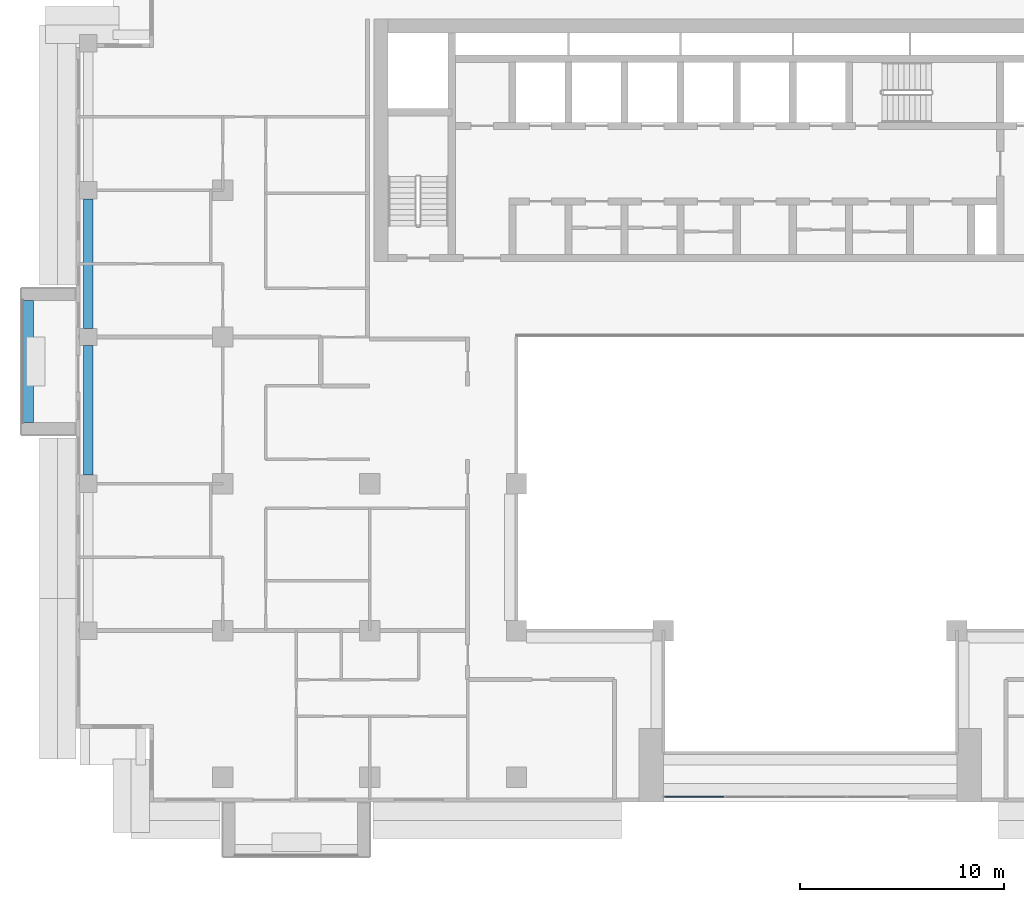
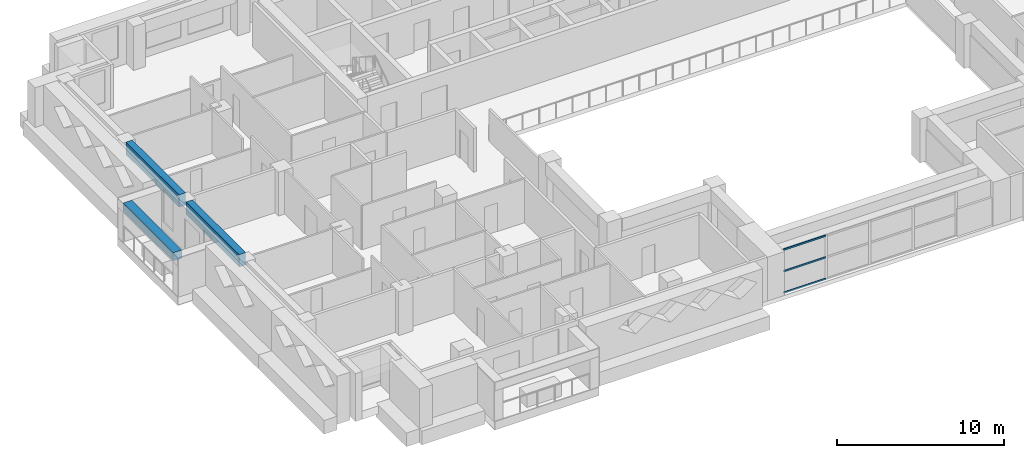
# One storey, part 3 of 20: 3 beams, 3 members, 1 element without a shape of its own.
"""IFC4 building model written with IfcOpenShell, lengths in metres."""

from ifc_helpers import new_model, si_unit, direction, frame, origin, origin_2d, place, context, subcontext, project, spatial, rectangle, extrude, source, transform, mapped, material, layer, layer_set, material_profile, profile_set, type_object, element, aggregate, save


model = new_model("IFC4")

# Units and contexts
model_context = context("Model", 3, precision=1e-05, world=origin(), true_north=direction((0.0, 1.0)))
body_context = subcontext(model_context, "Body", "Model", "MODEL_VIEW")
ifc_project = project(units=[si_unit("LENGTHUNIT", "METRE"), si_unit("AREAUNIT", "SQUARE_METRE"), si_unit("VOLUMEUNIT", "CUBIC_METRE"), si_unit("PLANEANGLEUNIT", "RADIAN"), si_unit("MASSUNIT", "GRAM", prefix="KILO")], contexts=[model_context])

# Site, building, storey
site_placement = place(None, origin())
site = spatial("IfcSite", under=ifc_project, at=site_placement, CompositionType="ELEMENT")
building_placement = place(site_placement, origin())
building = spatial("IfcBuilding", under=site, at=building_placement, Name="Saffron Iwan Residences", CompositionType="ELEMENT")
storey_placement = place(building_placement, frame((0.0, 0.0, 167.5)))
storey = spatial("IfcBuildingStorey", under=building, at=storey_placement, Name="L44", CompositionType="ELEMENT", Elevation=167.5)

# Beams
ifc_material_1 = material(Name="Concrete C50/60", Category="concrete")
ifc_material_profile_1 = material_profile(ifc_material_1, rectangle(XDim=0.449951171875, YDim=0.89990234375, at=origin_2d()), Name="RC 450x900")
ifc_profile_set_1 = profile_set([ifc_material_profile_1], Name="Concrete C50/60")
beam_type_1 = type_object("IfcBeamType", Name="SPANDREL BEAM RC 450x900 C50/60 TOP 3200", PredefinedType="SPANDREL", material=ifc_profile_set_1)
shared_shape_1 = source(origin(), body_context, "Body", "SweptSolid", [
    extrude(rectangle(XDim=0.449951171875, YDim=0.89990234375, at=origin_2d()), origin(), (0.0, 0.0, 1.0), 6.35009765625),
])
for number, where, z_axis, x_axis, name in (
    (1, (15.0, 55.625, 2.75), (0.0, 1.0, 0.0), (-1.0, 0.0, 0.0), "Spandrel beam"),
    (2, (15.0, 62.824951171875, 2.75), (0.0, 1.0, 0.0), (-1.0, 0.0, 0.0), "Spandrel beam"),
):
    element("IfcBeam", number, at=place(storey_placement, frame(where, z_axis=z_axis, x_axis=x_axis)), inside=storey, type_object=beam_type_1, Name=name, PredefinedType="SPANDREL", context=body_context, shape_type="MappedRepresentation", body=[
        mapped(shared_shape_1, transform((0.0, 0.0, 0.0))),
    ])

# Curtain wall, members
ifc_material_2 = material(Name="Clear glass, laminated double glazed", Category="glass")
ifc_layer = layer(ifc_material_2, 0.199951171875)
ifc_layer_set = layer_set([ifc_layer], Name="Clear glass, laminated double glazed")
curtain_wall_type = type_object("IfcCurtainWallType", Name="CW-B IWAN PORTAL", PredefinedType="NOTDEFINED", material=ifc_layer_set)
curtain_wall_placement = place(storey_placement, origin())
curtain_wall = element("IfcCurtainWall", 3, at=curtain_wall_placement, inside=storey, type_object=curtain_wall_type, Name="Iwan portal glazing L44.1", PredefinedType="NOTDEFINED")
ifc_material_3 = material(Name="Aluminium 6063-T6", Category="aluminium")
ifc_material_profile_2 = material_profile(ifc_material_3, rectangle(XDim=0.06005859375, YDim=0.1201171875, at=origin_2d()), Name="CW-B TRANSOM 60 x 120")
ifc_profile_set_2 = profile_set([ifc_material_profile_2], Name="Aluminium 6063-T6")
member_type = type_object("IfcMemberType", Name="CW-B TRANSOM 60 x 120", PredefinedType="USERDEFINED", material=ifc_profile_set_2)
shared_shape_2 = source(origin(), body_context, "Body", "SweptSolid", [
    extrude(rectangle(XDim=0.06005859375, YDim=0.1201171875, at=origin_2d()), origin(), (0.0, 0.0, 1.0), 2.909912109375),
])
member_1_placement = place(storey_placement, frame((43.260009765625, 39.85009765625, 0.030029296875), z_axis=(1.0, 0.0, 0.0), x_axis=(0.0, 1.0, 0.0)))
member_1 = element("IfcMember", 4, at=member_1_placement, type_object=member_type, Name="CW-B transom 1.1", ObjectType="TRANSOM", PredefinedType="USERDEFINED", context=body_context, shape_type="MappedRepresentation", body=[
    mapped(shared_shape_2, transform((0.0, 0.0, 0.0))),
])
member_2_placement = place(storey_placement, frame((43.260009765625, 39.85009765625, 1.60009765625), z_axis=(1.0, 0.0, 0.0), x_axis=(0.0, 1.0, 0.0)))
member_2 = element("IfcMember", 5, at=member_2_placement, type_object=member_type, Name="CW-B transom 1.2", ObjectType="TRANSOM", PredefinedType="USERDEFINED", context=body_context, shape_type="MappedRepresentation", body=[
    mapped(shared_shape_2, transform((0.0, 0.0, 0.0))),
])
member_3_placement = place(storey_placement, frame((43.260009765625, 39.85009765625, 3.169921875), z_axis=(1.0, 0.0, 0.0), x_axis=(0.0, 1.0, 0.0)))
member_3 = element("IfcMember", 6, at=member_3_placement, type_object=member_type, Name="CW-B transom 1.3", ObjectType="TRANSOM", PredefinedType="USERDEFINED", context=body_context, shape_type="MappedRepresentation", body=[
    mapped(shared_shape_2, transform((0.0, 0.0, 0.0))),
])
aggregate(curtain_wall, [member_1, member_2, member_3])

# Beam
ifc_material_4 = material(Name="Concrete C50/60 white painted", Category="concrete")
ifc_material_profile_3 = material_profile(ifc_material_4, rectangle(XDim=0.60009765625, YDim=0.60009765625, at=origin_2d()), Name="BALCONY FASCIA BEAM 600 x 600")
ifc_profile_set_3 = profile_set([ifc_material_profile_3], Name="Concrete C50/60 white painted")
beam_type_2 = type_object("IfcBeamType", Name="BALCONY FASCIA BEAM 600 x 600", PredefinedType="BEAM", material=ifc_profile_set_3)
shared_shape_3 = source(origin(), body_context, "Body", "SweptSolid", [
    extrude(rectangle(XDim=0.60009765625, YDim=0.60009765625, at=origin_2d()), origin(), (0.0, 0.0, 1.0), 6.0),
])
beam_placement = place(storey_placement, frame((12.0, 64.199951171875, 2.550048828125), z_axis=(0.0, -1.0, 0.0), x_axis=(1.0, 0.0, 0.0)))
element("IfcBeam", 7, at=beam_placement, inside=storey, type_object=beam_type_2, Name="Balcony fascia beam L44 F8-0", PredefinedType="BEAM", context=body_context, shape_type="MappedRepresentation", body=[
    mapped(shared_shape_3, transform((0.0, 0.0, 0.0))),
])

save(model, "model.ifc")
